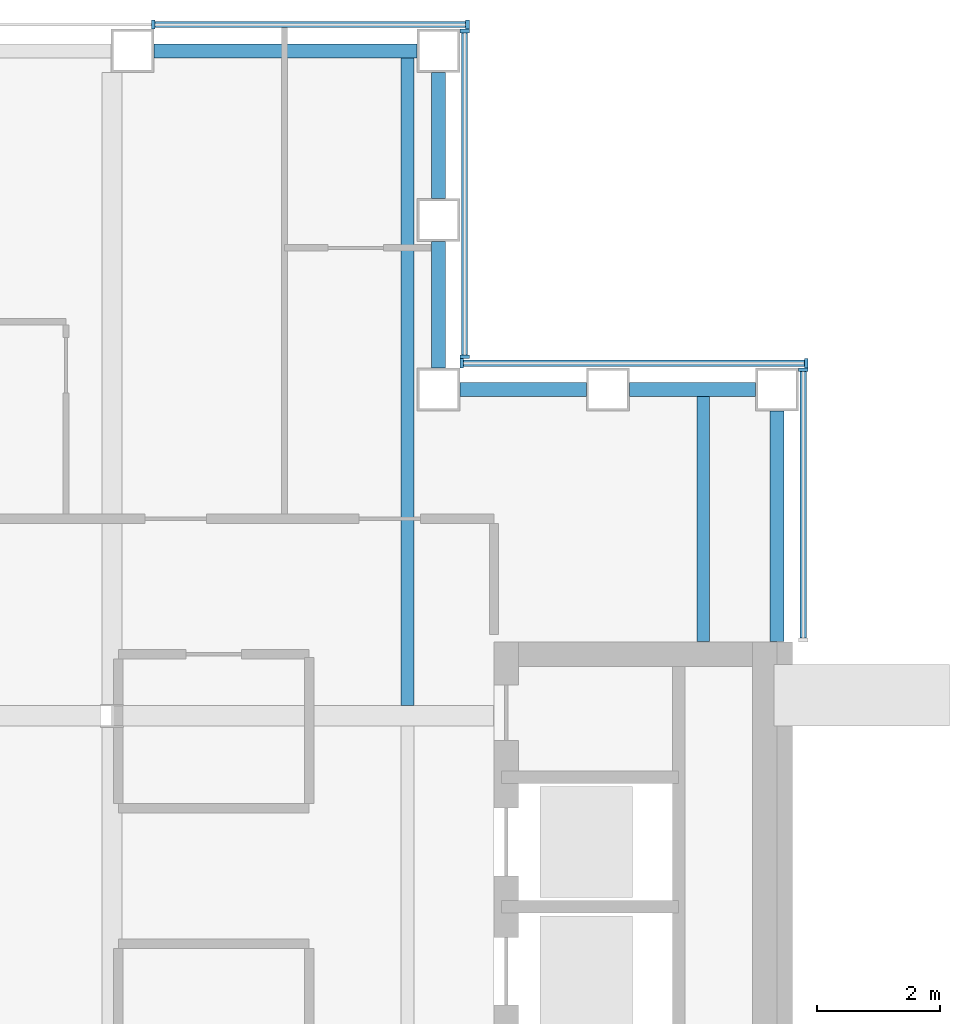
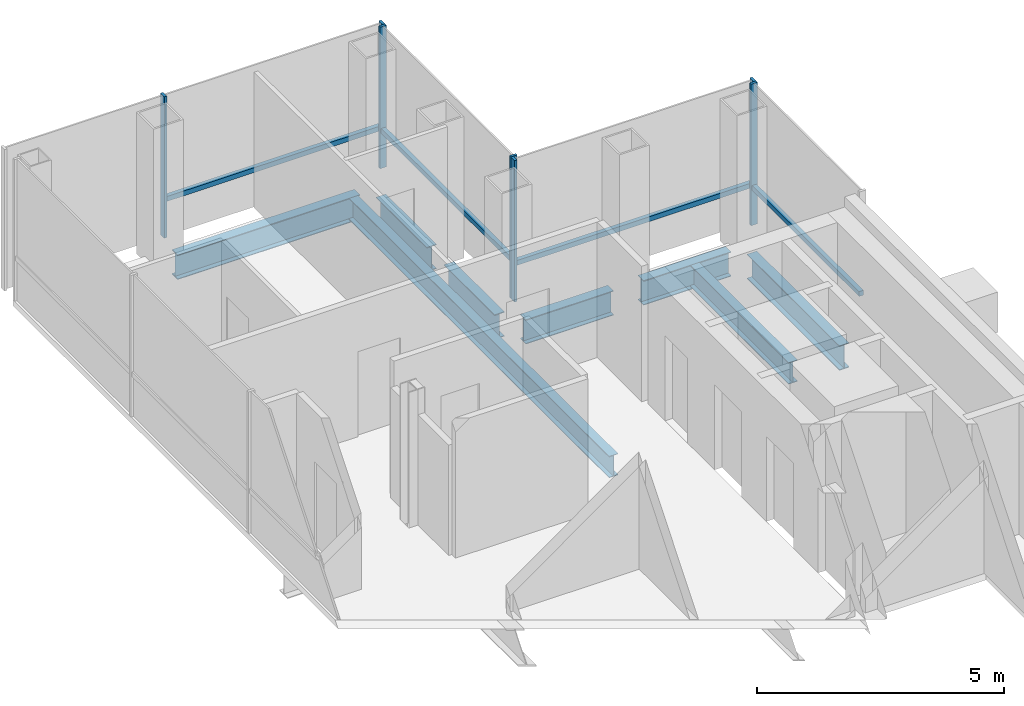
# One storey, part 9 of 16: 11 members, 8 beams, 4 elements without a shape of their own.
"""IFC4 building model written with IfcOpenShell, lengths in metres."""

import ifcopenshell
import ifcopenshell.guid

model = None  # the IFC model being written
_history = None  # IfcOwnerHistory: only IFC2X3 demands one
_inside = {}  # id of a spatial element -> (the spatial element, [elements in it])
_under = {}  # id of a project, library or spatial element -> (it, [spatial elements below it])
_declared = {}  # id of a project -> (the project, [libraries it declares])
_typed = {}  # id of a type object -> (the type object, [elements of that type])
_made_of = {}  # id of a material, layer set ... -> (it, [elements and type objects made of it])


def new_model(schema):
    """Start an empty IFC model of exactly this schema.

    Asked for "IFC4X3", IfcOpenShell would pick the latest addendum, in which some entities
    have other attributes; the version numbers below select the first issue.
    IFC2X3 requires an IfcOwnerHistory on every rooted entity: one is made here for all.
    """
    global model, _history
    if schema == "IFC4X3":
        model = ifcopenshell.file(schema_version=(4, 3, 0, 0))
    else:
        model = ifcopenshell.file(schema=schema)
    _inside.clear()
    _under.clear()
    _declared.clear()
    _typed.clear()
    _made_of.clear()
    _history = None
    if model.schema == "IFC2X3":
        org = make("IfcOrganization", Name="unknown")
        user = make(
            "IfcPersonAndOrganization",
            ThePerson=make("IfcPerson", FamilyName="unknown"),
            TheOrganization=org,
        )
        app = make(
            "IfcApplication",
            ApplicationDeveloper=org,
            Version="unknown",
            ApplicationFullName="unknown",
            ApplicationIdentifier="unknown",
        )
        _history = make(
            "IfcOwnerHistory",
            OwningUser=user,
            OwningApplication=app,
            ChangeAction="ADDED",
            CreationDate=0,
        )
    return model


def make(cls, **values):
    """One entity of the class cls with the attributes given. An attribute that is None is left unset."""
    return model.create_entity(
        cls, **{name: value for name, value in values.items() if value is not None}
    )


def rooted(cls, **values):
    """An entity with a GlobalId (a new one), such as an element, a storey or a relation."""
    return make(cls, GlobalId=ifcopenshell.guid.new(), OwnerHistory=_history, **values)


def si_unit(unit_type, name, prefix=None):
    """IfcSIUnit, for example si_unit("LENGTHUNIT", "METRE", prefix="MILLI")."""
    return make("IfcSIUnit", UnitType=unit_type, Prefix=prefix, Name=name)


def assignment(units):
    """IfcUnitAssignment: the units of a project."""
    return None if units is None else make("IfcUnitAssignment", Units=units)


def point(xyz):
    """IfcCartesianPoint."""
    return None if xyz is None else make("IfcCartesianPoint", Coordinates=xyz)


def direction(xyz):
    """IfcDirection."""
    return None if xyz is None else make("IfcDirection", DirectionRatios=xyz)


def frame(location, z_axis=None, x_axis=None):
    """IfcAxis2Placement3D, a coordinate frame: its origin and axes. An axis left out is left unset."""
    return make(
        "IfcAxis2Placement3D",
        Location=point(location),
        Axis=direction(z_axis),
        RefDirection=direction(x_axis),
    )


def frame_2d(location, x_axis=None):
    """IfcAxis2Placement2D, a coordinate frame in the plane: its origin and x axis."""
    return make(
        "IfcAxis2Placement2D", Location=point(location), RefDirection=direction(x_axis)
    )


def origin():
    """The frame at (0, 0, 0) with its axes left unset."""
    return frame((0.0, 0.0, 0.0))


def origin_2d():
    """The frame at (0, 0) in the plane with its x axis left unset."""
    return frame_2d((0.0, 0.0))


def place(relative_to, where):
    """IfcLocalPlacement: puts the frame where relative to a parent placement (None: the world)."""
    return make(
        "IfcLocalPlacement", PlacementRelTo=relative_to, RelativePlacement=where
    )


def context(
    kind, dimensions, precision=None, world=None, true_north=None, identifier=None
):
    """IfcGeometricRepresentationContext, for example the 3D "Model" context."""
    return make(
        "IfcGeometricRepresentationContext",
        ContextIdentifier=identifier,
        ContextType=kind,
        CoordinateSpaceDimension=dimensions,
        Precision=precision,
        WorldCoordinateSystem=world,
        TrueNorth=true_north,
    )


def subcontext(parent, identifier, kind, view, scale=None):
    """IfcGeometricRepresentationSubContext, for example "Body" below "Model"."""
    return make(
        "IfcGeometricRepresentationSubContext",
        ContextIdentifier=identifier,
        ContextType=kind,
        ParentContext=parent,
        TargetScale=scale,
        TargetView=view,
    )


def project(units=None, contexts=None):
    """IfcProject with its units and contexts."""
    return rooted(
        "IfcProject",
        Name="project",
        RepresentationContexts=contexts,
        UnitsInContext=assignment(units),
    )


def spatial(cls, under=None, at=None, **own):
    """A site, building, storey or space (cls), placed at a placement, below another one or the project."""
    s = rooted(cls, ObjectPlacement=at, **own)
    if under is not None:
        _under.setdefault(under.id(), (under, []))[1].append(s)
    return s


def profile(cls, at=None, kind="AREA", **sizes):
    """A parametric profile (cls). Its sizes go by their IFC names, for example OverallWidth=200.0."""
    return make(cls, ProfileType=kind, Position=at, **sizes)


def rectangle(**sizes):
    """IfcRectangleProfileDef."""
    return profile("IfcRectangleProfileDef", **sizes)


def i_section(**sizes):
    """IfcIShapeProfileDef."""
    return profile("IfcIShapeProfileDef", **sizes)


def extrude(swept, where, along, depth):
    """IfcExtrudedAreaSolid: the profile swept, set in the frame where, extruded along a direction by depth."""
    return make(
        "IfcExtrudedAreaSolid",
        SweptArea=swept,
        Position=where,
        ExtrudedDirection=direction(along),
        Depth=depth,
    )


def shape(context_of_items, identifier, shape_type, items):
    """IfcShapeRepresentation: the items that make up one representation, for example the "Body"."""
    return make(
        "IfcShapeRepresentation",
        ContextOfItems=context_of_items,
        RepresentationIdentifier=identifier,
        RepresentationType=shape_type,
        Items=items,
    )


def material(Name=None, Category=None):
    """IfcMaterial."""
    return make("IfcMaterial", Name=Name, Category=Category)


def material_profile(
    of_material, cross_section, Name=None, Category=None, Priority=None
):
    """IfcMaterialProfile: a cross section and its material."""
    return make(
        "IfcMaterialProfile",
        Name=Name,
        Material=of_material,
        Profile=cross_section,
        Priority=Priority,
        Category=Category,
    )


def profile_set(profiles, Name=None, composite=None):
    """IfcMaterialProfileSet."""
    return make(
        "IfcMaterialProfileSet",
        Name=Name,
        MaterialProfiles=profiles,
        CompositeProfile=composite,
    )


def made_of(thing, what):
    """Note that an element or type object is made of a material, layer set ...; save() writes the relation."""
    if what is not None:
        _made_of.setdefault(what.id(), (what, []))[1].append(thing)
    return thing


def type_object(cls, material=None, **own):
    """A type object (cls), such as IfcWallType, which elements share."""
    return made_of(rooted(cls, **own), material)


def element(
    cls,
    number,
    at=None,
    inside=None,
    cuts=None,
    type_object=None,
    material=None,
    context=None,
    identifier="Body",
    shape_type=None,
    held_by="IfcProductDefinitionShape",
    body=None,
    shapes=None,
    **own,
):
    """One element of the class cls, such as IfcWall. Its Tag is "e" and its number.

    at: its placement. inside: the storey or other place that contains it. cuts: it is an
    opening in that element (IfcRelVoidsElement). A single representation is given by context,
    identifier, shape_type and body (its items); several are given by shapes. held_by: the class
    of the entity that holds the representations. save() writes the other relations.
    """
    e = rooted(cls, Tag="e%d" % number, ObjectPlacement=at, **own)
    if body is not None:
        shapes = [shape(context, identifier, shape_type, body)]
    if shapes is not None:
        e.Representation = make(held_by, Representations=shapes)
    if inside is not None:
        _inside.setdefault(inside.id(), (inside, []))[1].append(e)
    if cuts is not None:
        rooted(
            "IfcRelVoidsElement", RelatingBuildingElement=cuts, RelatedOpeningElement=e
        )
    if type_object is not None:
        _typed.setdefault(type_object.id(), (type_object, []))[1].append(e)
    return made_of(e, material)


def aggregate(whole, parts):
    """IfcRelAggregates: a whole, such as a stair, and the parts it consists of."""
    return rooted("IfcRelAggregates", RelatingObject=whole, RelatedObjects=parts)


def save(model, path):
    """Write the relations noted so far, then the file.

    IfcRelAggregates (storeys below a building ...), IfcRelContainedInSpatialStructure (elements
    in a storey), IfcRelDefinesByType, IfcRelAssociatesMaterial and IfcRelDeclares: one each for
    every whole, place, type object, material and project.
    """
    for whole, parts in _under.values():
        aggregate(whole, parts)
    for where, things in _inside.values():
        rooted(
            "IfcRelContainedInSpatialStructure",
            RelatedElements=things,
            RelatingStructure=where,
        )
    for kind, things in _typed.values():
        rooted("IfcRelDefinesByType", RelatedObjects=things, RelatingType=kind)
    for what, things in _made_of.values():
        rooted("IfcRelAssociatesMaterial", RelatedObjects=things, RelatingMaterial=what)
    for by, libraries in _declared.values():
        rooted("IfcRelDeclares", RelatingContext=by, RelatedDefinitions=libraries)
    model.write(path)


model = new_model("IFC4")

# Units and contexts
model_context = context("Model", 3, precision=1e-05, world=origin(), true_north=direction((0.0, 1.0)))
body_context = subcontext(model_context, "Body", "Model", "MODEL_VIEW")
ifc_project = project(units=[si_unit("LENGTHUNIT", "METRE"), si_unit("AREAUNIT", "SQUARE_METRE"), si_unit("VOLUMEUNIT", "CUBIC_METRE"), si_unit("PLANEANGLEUNIT", "RADIAN"), si_unit("MASSUNIT", "GRAM", prefix="KILO")], contexts=[model_context])

# Site, building, storey
site_placement = place(None, origin())
site = spatial("IfcSite", under=ifc_project, at=site_placement, CompositionType="ELEMENT")
building_placement = place(site_placement, origin())
building = spatial("IfcBuilding", under=site, at=building_placement, Name="Cobrizo Arcos Hotel Tower", CompositionType="ELEMENT")
storey_placement = place(building_placement, frame((0.0, 0.0, 229.5)))
storey = spatial("IfcBuildingStorey", under=building, at=storey_placement, Name="L60", CompositionType="ELEMENT", Elevation=229.5)

# Curtain wall, member
ifc_material_1 = material(Name="Aluminium 6063-T6 anodised bronze", Category="aluminium")
curtain_wall_type = type_object("IfcCurtainWallType", Name="CW-A guest facade", PredefinedType="NOTDEFINED", material=ifc_material_1)
curtain_wall_1_placement = place(storey_placement, origin())
curtain_wall_1 = element("IfcCurtainWall", 1, at=curtain_wall_1_placement, inside=storey, type_object=curtain_wall_type, Name="CW-A L60 E face", PredefinedType="NOTDEFINED")
ifc_material_profile_1 = material_profile(ifc_material_1, rectangle(XDim=0.14990234375, YDim=0.06005859375, at=origin_2d()), Name="CW-A mullion 150x60")
ifc_profile_set_1 = profile_set([ifc_material_profile_1], Name="Aluminium 6063-T6 anodised bronze")
member_type_1 = type_object("IfcMemberType", Name="CW-A mullion 150x60", PredefinedType="MULLION", material=ifc_profile_set_1)
member_1_placement = place(storey_placement, frame((20.824951171875, 15.219970703125, 0.0), z_axis=(0.0, 0.0, 1.0), x_axis=(1.0, 0.0, 0.0)))
member_1 = element("IfcMember", 2, at=member_1_placement, type_object=member_type_1, Name="CW-A mullion 2", PredefinedType="MULLION", context=body_context, shape_type="SweptSolid", body=[
    extrude(rectangle(XDim=0.14990234375, YDim=0.06005859375, at=origin_2d()), origin(), (0.0, 0.0, 1.0), 3.5),
])

# Curtain wall, members
curtain_wall_2_placement = place(storey_placement, origin())
curtain_wall_2 = element("IfcCurtainWall", 3, at=curtain_wall_2_placement, inside=storey, type_object=curtain_wall_type, Name="CW-A L60 N face", PredefinedType="NOTDEFINED")
member_2_placement = place(storey_placement, frame((20.8701171875, 15.324951171875, 0.0), z_axis=(0.0, 0.0, 1.0), x_axis=(0.0, 1.0, 0.0)))
member_2 = element("IfcMember", 4, at=member_2_placement, type_object=member_type_1, Name="CW-A mullion 1", PredefinedType="MULLION", context=body_context, shape_type="SweptSolid", body=[
    extrude(rectangle(XDim=0.14990234375, YDim=0.06005859375, at=origin_2d()), origin(), (0.0, 0.0, 1.0), 3.5),
])
member_3_placement = place(storey_placement, frame((15.280029296875, 15.324951171875, 0.0), z_axis=(0.0, 0.0, 1.0), x_axis=(0.0, 1.0, 0.0)))
member_3 = element("IfcMember", 5, at=member_3_placement, type_object=member_type_1, Name="CW-A mullion 2", PredefinedType="MULLION", context=body_context, shape_type="SweptSolid", body=[
    extrude(rectangle(XDim=0.14990234375, YDim=0.06005859375, at=origin_2d()), origin(), (0.0, 0.0, 1.0), 3.5),
])

curtain_wall_3_placement = place(storey_placement, origin())
curtain_wall_3 = element("IfcCurtainWall", 6, at=curtain_wall_3_placement, inside=storey, type_object=curtain_wall_type, Name="CW-A L60 E face", PredefinedType="NOTDEFINED")
member_4_placement = place(storey_placement, frame((15.324951171875, 15.429931640625, 0.0), z_axis=(0.0, 0.0, 1.0), x_axis=(1.0, 0.0, 0.0)))
member_4 = element("IfcMember", 7, at=member_4_placement, type_object=member_type_1, Name="CW-A mullion 1", PredefinedType="MULLION", context=body_context, shape_type="SweptSolid", body=[
    extrude(rectangle(XDim=0.14990234375, YDim=0.06005859375, at=origin_2d()), origin(), (0.0, 0.0, 1.0), 3.5),
])
member_5_placement = place(storey_placement, frame((15.324951171875, 20.719970703125, 0.0), z_axis=(0.0, 0.0, 1.0), x_axis=(1.0, 0.0, 0.0)))
member_5 = element("IfcMember", 8, at=member_5_placement, type_object=member_type_1, Name="CW-A mullion 2", PredefinedType="MULLION", context=body_context, shape_type="SweptSolid", body=[
    extrude(rectangle(XDim=0.14990234375, YDim=0.06005859375, at=origin_2d()), origin(), (0.0, 0.0, 1.0), 3.5),
])

curtain_wall_4_placement = place(storey_placement, origin())
curtain_wall_4 = element("IfcCurtainWall", 9, at=curtain_wall_4_placement, inside=storey, type_object=curtain_wall_type, Name="CW-A L60 N face", PredefinedType="NOTDEFINED")
member_6_placement = place(storey_placement, frame((15.3701171875, 20.824951171875, 0.0), z_axis=(0.0, 0.0, 1.0), x_axis=(0.0, 1.0, 0.0)))
member_6 = element("IfcMember", 10, at=member_6_placement, type_object=member_type_1, Name="CW-A mullion 1", PredefinedType="MULLION", context=body_context, shape_type="SweptSolid", body=[
    extrude(rectangle(XDim=0.14990234375, YDim=0.06005859375, at=origin_2d()), origin(), (0.0, 0.0, 1.0), 3.5),
])
member_7_placement = place(storey_placement, frame((10.2666015625, 20.824951171875, 0.0), z_axis=(0.0, 0.0, 1.0), x_axis=(0.0, 1.0, 0.0)))
member_7 = element("IfcMember", 11, at=member_7_placement, type_object=member_type_1, Name="CW-A mullion 2", PredefinedType="MULLION", context=body_context, shape_type="SweptSolid", body=[
    extrude(rectangle(XDim=0.14990234375, YDim=0.06005859375, at=origin_2d()), origin(), (0.0, 0.0, 1.0), 3.5),
])

# Member
ifc_material_profile_2 = material_profile(ifc_material_1, rectangle(XDim=0.10009765625, YDim=0.1201171875, at=origin_2d()), Name="CW-A transom 120x100")
ifc_profile_set_2 = profile_set([ifc_material_profile_2], Name="Aluminium 6063-T6 anodised bronze")
member_type_2 = type_object("IfcMemberType", Name="CW-A transom 120x100", PredefinedType="USERDEFINED", material=ifc_profile_set_2)
member_8_placement = place(storey_placement, frame((20.824951171875, 10.860107421875, 0.929931640625), z_axis=(0.0, 1.0, 0.0), x_axis=(-1.0, 0.0, 0.0)))
member_8 = element("IfcMember", 12, at=member_8_placement, type_object=member_type_2, Name="CW-A transom 1955", ObjectType="TRANSOM", PredefinedType="USERDEFINED", context=body_context, shape_type="SweptSolid", body=[
    extrude(rectangle(XDim=0.10009765625, YDim=0.1201171875, at=origin_2d()), origin(), (0.0, 0.0, 1.0), 4.329833984375),
])

aggregate(curtain_wall_1, [member_1, member_8])

member_9_placement = place(storey_placement, frame((20.840087890625, 15.324951171875, 0.929931640625), z_axis=(-1.0, 0.0, 0.0), x_axis=(0.0, -1.0, 0.0)))
member_9 = element("IfcMember", 13, at=member_9_placement, type_object=member_type_2, Name="CW-A transom 1956", ObjectType="TRANSOM", PredefinedType="USERDEFINED", context=body_context, shape_type="SweptSolid", body=[
    extrude(rectangle(XDim=0.10009765625, YDim=0.1201171875, at=origin_2d()), origin(), (0.0, 0.0, 1.0), 5.530029296875),
])

aggregate(curtain_wall_2, [member_2, member_3, member_9])

member_10_placement = place(storey_placement, frame((15.324951171875, 15.4599609375, 0.929931640625), z_axis=(0.0, 1.0, 0.0), x_axis=(-1.0, 0.0, 0.0)))
member_10 = element("IfcMember", 14, at=member_10_placement, type_object=member_type_2, Name="CW-A transom 1957", ObjectType="TRANSOM", PredefinedType="USERDEFINED", context=body_context, shape_type="SweptSolid", body=[
    extrude(rectangle(XDim=0.10009765625, YDim=0.1201171875, at=origin_2d()), origin(), (0.0, 0.0, 1.0), 5.22998046875),
])

aggregate(curtain_wall_3, [member_4, member_5, member_10])

member_11_placement = place(storey_placement, frame((15.340087890625, 20.824951171875, 0.929931640625), z_axis=(-1.0, 0.0, 0.0), x_axis=(0.0, -1.0, 0.0)))
member_11 = element("IfcMember", 15, at=member_11_placement, type_object=member_type_2, Name="CW-A transom 1958", ObjectType="TRANSOM", PredefinedType="USERDEFINED", context=body_context, shape_type="SweptSolid", body=[
    extrude(rectangle(XDim=0.10009765625, YDim=0.1201171875, at=origin_2d()), origin(), (0.0, 0.0, 1.0), 5.04345703125),
])

aggregate(curtain_wall_4, [member_6, member_7, member_11])

# Beams
ifc_material_2 = material(Name="Steel ASTM A992 Grade 50", Category="steel")
ifc_material_profile_3 = material_profile(ifc_material_2, i_section(OverallWidth=0.209228515625, OverallDepth=0.533447265625, WebThickness=0.01025390625, FlangeThickness=0.015625, at=origin_2d()), Name="W21X62")
ifc_profile_set_3 = profile_set([ifc_material_profile_3], Name="Steel ASTM A992 Grade 50")
beam_type_1 = type_object("IfcBeamType", Name="W21X62 joist", PredefinedType="JOIST", material=ifc_profile_set_3)
beam_1_placement = place(storey_placement, frame((14.39990234375, 9.763916015625, -0.416748046875), z_axis=(0.0, 1.0, 0.0), x_axis=(-1.0, 0.0, 0.0)))
element("IfcBeam", 16, at=beam_1_placement, inside=storey, type_object=beam_type_1, Name="Floor joist J1, L60, no. 010", PredefinedType="JOIST", context=body_context, shape_type="SweptSolid", body=[
    extrude(i_section(OverallWidth=0.209228515625, OverallDepth=0.533447265625, WebThickness=0.01025390625, FlangeThickness=0.015625, at=origin_2d()), origin(), (0.0, 0.0, 1.0), 10.546142578125),
])
beam_2_placement = place(storey_placement, frame((19.199951171875, 10.81005859375, -0.416748046875), z_axis=(0.0, 1.0, 0.0), x_axis=(-1.0, 0.0, 0.0)))
element("IfcBeam", 17, at=beam_2_placement, inside=storey, type_object=beam_type_1, Name="Floor joist J1, L60, no. 012", PredefinedType="JOIST", context=body_context, shape_type="SweptSolid", body=[
    extrude(i_section(OverallWidth=0.209228515625, OverallDepth=0.533447265625, WebThickness=0.01025390625, FlangeThickness=0.015625, at=origin_2d()), origin(), (0.0, 0.0, 1.0), 4.0),
])
ifc_material_profile_4 = material_profile(ifc_material_2, i_section(OverallWidth=0.228271484375, OverallDepth=0.607177734375, WebThickness=0.01123046875, FlangeThickness=0.017333984375, at=origin_2d()), Name="W24X76")
ifc_profile_set_4 = profile_set([ifc_material_profile_4], Name="Steel ASTM A992 Grade 50")
beam_type_2 = type_object("IfcBeamType", Name="W24X76 spandrel", PredefinedType="SPANDREL", material=ifc_profile_set_4)
for number, where, z_axis, x_axis, name in (
    (18, (15.25, 14.89990234375, -0.45361328125), (1.0, 0.0, 0.0), (0.0, 1.0, 0.0), "Spandrel beam W24X76, L60, no. 001"),
    (19, (18.0, 14.89990234375, -0.45361328125), (1.0, 0.0, 0.0), (0.0, 1.0, 0.0), "Spandrel beam W24X76, L60, no. 002"),
):
    element("IfcBeam", number, at=place(storey_placement, frame(where, z_axis=z_axis, x_axis=x_axis)), inside=storey, type_object=beam_type_2, Name=name, PredefinedType="SPANDREL", context=body_context, shape_type="SweptSolid", body=[
        extrude(i_section(OverallWidth=0.228271484375, OverallDepth=0.607177734375, WebThickness=0.01123046875, FlangeThickness=0.017333984375, at=origin_2d()), origin(), (0.0, 0.0, 1.0), 2.050048828125),
    ])
beam_3_placement = place(storey_placement, frame((20.39990234375, 14.550048828125, -0.45361328125), z_axis=(0.0, -1.0, 0.0), x_axis=(1.0, 0.0, 0.0)))
element("IfcBeam", 20, at=beam_3_placement, inside=storey, type_object=beam_type_2, Name="Spandrel beam W24X76, L60, no. 003", PredefinedType="SPANDREL", context=body_context, shape_type="SweptSolid", body=[
    extrude(i_section(OverallWidth=0.228271484375, OverallDepth=0.607177734375, WebThickness=0.01123046875, FlangeThickness=0.017333984375, at=origin_2d()), origin(), (0.0, 0.0, 1.0), 3.739990234375),
])
beam_4_placement = place(storey_placement, frame((10.282958984375, 20.39990234375, -0.45361328125), z_axis=(1.0, 0.0, 0.0), x_axis=(0.0, 1.0, 0.0)))
element("IfcBeam", 21, at=beam_4_placement, inside=storey, type_object=beam_type_2, Name="Spandrel beam W24X76, L60, no. 026", PredefinedType="SPANDREL", context=body_context, shape_type="SweptSolid", body=[
    extrude(i_section(OverallWidth=0.228271484375, OverallDepth=0.607177734375, WebThickness=0.01123046875, FlangeThickness=0.017333984375, at=origin_2d()), origin(), (0.0, 0.0, 1.0), 4.26708984375),
])
for number, where, z_axis, x_axis, name in (
    (22, (14.89990234375, 20.050048828125, -0.45361328125), (0.0, -1.0, 0.0), (1.0, 0.0, 0.0), "Spandrel beam W24X76, L60, no. 027"),
    (23, (14.89990234375, 17.300048828125, -0.45361328125), (0.0, -1.0, 0.0), (1.0, 0.0, 0.0), "Spandrel beam W24X76, L60, no. 028"),
):
    element("IfcBeam", number, at=place(storey_placement, frame(where, z_axis=z_axis, x_axis=x_axis)), inside=storey, type_object=beam_type_2, Name=name, PredefinedType="SPANDREL", context=body_context, shape_type="SweptSolid", body=[
        extrude(i_section(OverallWidth=0.228271484375, OverallDepth=0.607177734375, WebThickness=0.01123046875, FlangeThickness=0.017333984375, at=origin_2d()), origin(), (0.0, 0.0, 1.0), 2.050048828125),
    ])

save(model, "model.ifc")
